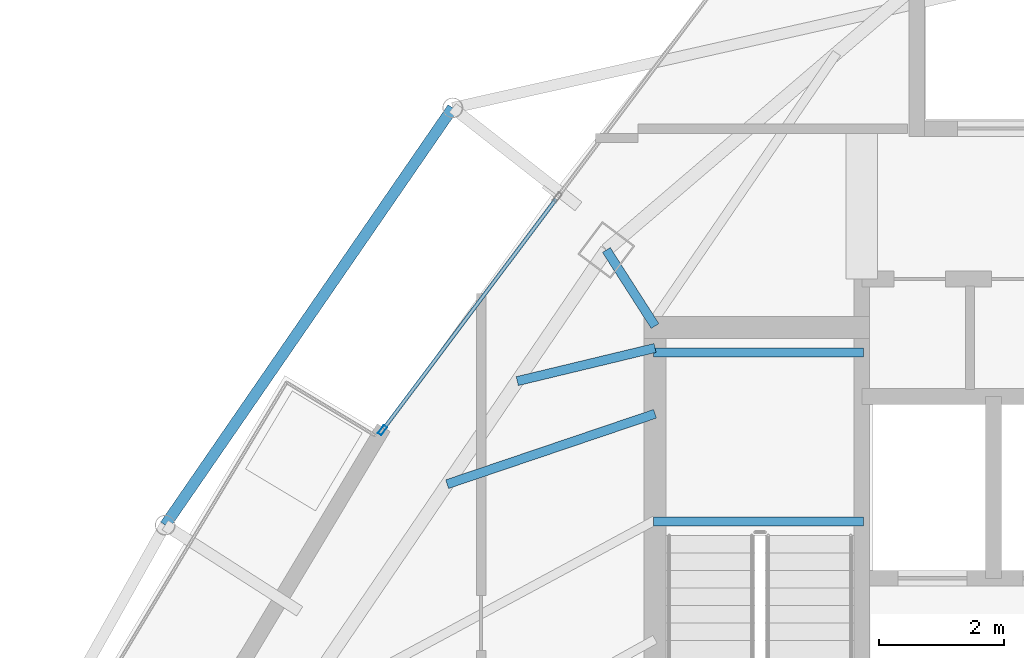
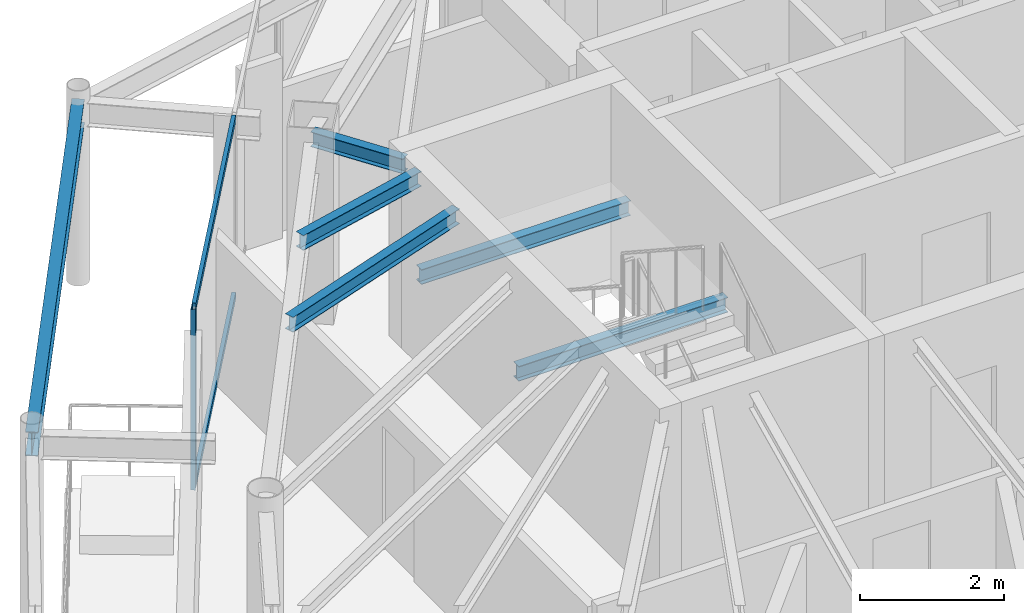
# One storey, part 12 of 30: 6 beams, 3 members, 1 element without a shape of its own.
"""IFC4 building model written with IfcOpenShell, lengths in metres."""

import ifcopenshell
import ifcopenshell.guid

model = None  # the IFC model being written
_history = None  # IfcOwnerHistory: only IFC2X3 demands one
_inside = {}  # id of a spatial element -> (the spatial element, [elements in it])
_under = {}  # id of a project, library or spatial element -> (it, [spatial elements below it])
_declared = {}  # id of a project -> (the project, [libraries it declares])
_typed = {}  # id of a type object -> (the type object, [elements of that type])
_made_of = {}  # id of a material, layer set ... -> (it, [elements and type objects made of it])


def new_model(schema):
    """Start an empty IFC model of exactly this schema.

    Asked for "IFC4X3", IfcOpenShell would pick the latest addendum, in which some entities
    have other attributes; the version numbers below select the first issue.
    IFC2X3 requires an IfcOwnerHistory on every rooted entity: one is made here for all.
    """
    global model, _history
    if schema == "IFC4X3":
        model = ifcopenshell.file(schema_version=(4, 3, 0, 0))
    else:
        model = ifcopenshell.file(schema=schema)
    _inside.clear()
    _under.clear()
    _declared.clear()
    _typed.clear()
    _made_of.clear()
    _history = None
    if model.schema == "IFC2X3":
        org = make("IfcOrganization", Name="unknown")
        user = make(
            "IfcPersonAndOrganization",
            ThePerson=make("IfcPerson", FamilyName="unknown"),
            TheOrganization=org,
        )
        app = make(
            "IfcApplication",
            ApplicationDeveloper=org,
            Version="unknown",
            ApplicationFullName="unknown",
            ApplicationIdentifier="unknown",
        )
        _history = make(
            "IfcOwnerHistory",
            OwningUser=user,
            OwningApplication=app,
            ChangeAction="ADDED",
            CreationDate=0,
        )
    return model


def make(cls, **values):
    """One entity of the class cls with the attributes given. An attribute that is None is left unset."""
    return model.create_entity(
        cls, **{name: value for name, value in values.items() if value is not None}
    )


def rooted(cls, **values):
    """An entity with a GlobalId (a new one), such as an element, a storey or a relation."""
    return make(cls, GlobalId=ifcopenshell.guid.new(), OwnerHistory=_history, **values)


def si_unit(unit_type, name, prefix=None):
    """IfcSIUnit, for example si_unit("LENGTHUNIT", "METRE", prefix="MILLI")."""
    return make("IfcSIUnit", UnitType=unit_type, Prefix=prefix, Name=name)


def assignment(units):
    """IfcUnitAssignment: the units of a project."""
    return None if units is None else make("IfcUnitAssignment", Units=units)


def point(xyz):
    """IfcCartesianPoint."""
    return None if xyz is None else make("IfcCartesianPoint", Coordinates=xyz)


def direction(xyz):
    """IfcDirection."""
    return None if xyz is None else make("IfcDirection", DirectionRatios=xyz)


def frame(location, z_axis=None, x_axis=None):
    """IfcAxis2Placement3D, a coordinate frame: its origin and axes. An axis left out is left unset."""
    return make(
        "IfcAxis2Placement3D",
        Location=point(location),
        Axis=direction(z_axis),
        RefDirection=direction(x_axis),
    )


def frame_2d(location, x_axis=None):
    """IfcAxis2Placement2D, a coordinate frame in the plane: its origin and x axis."""
    return make(
        "IfcAxis2Placement2D", Location=point(location), RefDirection=direction(x_axis)
    )


def origin():
    """The frame at (0, 0, 0) with its axes left unset."""
    return frame((0.0, 0.0, 0.0))


def origin_2d():
    """The frame at (0, 0) in the plane with its x axis left unset."""
    return frame_2d((0.0, 0.0))


def place(relative_to, where):
    """IfcLocalPlacement: puts the frame where relative to a parent placement (None: the world)."""
    return make(
        "IfcLocalPlacement", PlacementRelTo=relative_to, RelativePlacement=where
    )


def context(
    kind, dimensions, precision=None, world=None, true_north=None, identifier=None
):
    """IfcGeometricRepresentationContext, for example the 3D "Model" context."""
    return make(
        "IfcGeometricRepresentationContext",
        ContextIdentifier=identifier,
        ContextType=kind,
        CoordinateSpaceDimension=dimensions,
        Precision=precision,
        WorldCoordinateSystem=world,
        TrueNorth=true_north,
    )


def subcontext(parent, identifier, kind, view, scale=None):
    """IfcGeometricRepresentationSubContext, for example "Body" below "Model"."""
    return make(
        "IfcGeometricRepresentationSubContext",
        ContextIdentifier=identifier,
        ContextType=kind,
        ParentContext=parent,
        TargetScale=scale,
        TargetView=view,
    )


def project(units=None, contexts=None):
    """IfcProject with its units and contexts."""
    return rooted(
        "IfcProject",
        Name="project",
        RepresentationContexts=contexts,
        UnitsInContext=assignment(units),
    )


def spatial(cls, under=None, at=None, **own):
    """A site, building, storey or space (cls), placed at a placement, below another one or the project."""
    s = rooted(cls, ObjectPlacement=at, **own)
    if under is not None:
        _under.setdefault(under.id(), (under, []))[1].append(s)
    return s


def profile(cls, at=None, kind="AREA", **sizes):
    """A parametric profile (cls). Its sizes go by their IFC names, for example OverallWidth=200.0."""
    return make(cls, ProfileType=kind, Position=at, **sizes)


def hollow_rectangle(**sizes):
    """IfcRectangleHollowProfileDef."""
    return profile("IfcRectangleHollowProfileDef", **sizes)


def i_section(**sizes):
    """IfcIShapeProfileDef."""
    return profile("IfcIShapeProfileDef", **sizes)


def extrude(swept, where, along, depth):
    """IfcExtrudedAreaSolid: the profile swept, set in the frame where, extruded along a direction by depth."""
    return make(
        "IfcExtrudedAreaSolid",
        SweptArea=swept,
        Position=where,
        ExtrudedDirection=direction(along),
        Depth=depth,
    )


def shape(context_of_items, identifier, shape_type, items):
    """IfcShapeRepresentation: the items that make up one representation, for example the "Body"."""
    return make(
        "IfcShapeRepresentation",
        ContextOfItems=context_of_items,
        RepresentationIdentifier=identifier,
        RepresentationType=shape_type,
        Items=items,
    )


def material(Name=None, Category=None):
    """IfcMaterial."""
    return make("IfcMaterial", Name=Name, Category=Category)


def layer(
    of_material, thickness, ventilated=None, Name=None, Category=None, Priority=None
):
    """IfcMaterialLayer: one layer of a wall or slab, of a material (None: an air gap)."""
    return make(
        "IfcMaterialLayer",
        Material=of_material,
        LayerThickness=thickness,
        IsVentilated=ventilated,
        Name=Name,
        Category=Category,
        Priority=Priority,
    )


def layer_set(layers, Name=None):
    """IfcMaterialLayerSet."""
    return make("IfcMaterialLayerSet", MaterialLayers=layers, LayerSetName=Name)


def material_profile(
    of_material, cross_section, Name=None, Category=None, Priority=None
):
    """IfcMaterialProfile: a cross section and its material."""
    return make(
        "IfcMaterialProfile",
        Name=Name,
        Material=of_material,
        Profile=cross_section,
        Priority=Priority,
        Category=Category,
    )


def profile_set(profiles, Name=None, composite=None):
    """IfcMaterialProfileSet."""
    return make(
        "IfcMaterialProfileSet",
        Name=Name,
        MaterialProfiles=profiles,
        CompositeProfile=composite,
    )


def made_of(thing, what):
    """Note that an element or type object is made of a material, layer set ...; save() writes the relation."""
    if what is not None:
        _made_of.setdefault(what.id(), (what, []))[1].append(thing)
    return thing


def type_object(cls, material=None, **own):
    """A type object (cls), such as IfcWallType, which elements share."""
    return made_of(rooted(cls, **own), material)


def element(
    cls,
    number,
    at=None,
    inside=None,
    cuts=None,
    type_object=None,
    material=None,
    context=None,
    identifier="Body",
    shape_type=None,
    held_by="IfcProductDefinitionShape",
    body=None,
    shapes=None,
    **own,
):
    """One element of the class cls, such as IfcWall. Its Tag is "e" and its number.

    at: its placement. inside: the storey or other place that contains it. cuts: it is an
    opening in that element (IfcRelVoidsElement). A single representation is given by context,
    identifier, shape_type and body (its items); several are given by shapes. held_by: the class
    of the entity that holds the representations. save() writes the other relations.
    """
    e = rooted(cls, Tag="e%d" % number, ObjectPlacement=at, **own)
    if body is not None:
        shapes = [shape(context, identifier, shape_type, body)]
    if shapes is not None:
        e.Representation = make(held_by, Representations=shapes)
    if inside is not None:
        _inside.setdefault(inside.id(), (inside, []))[1].append(e)
    if cuts is not None:
        rooted(
            "IfcRelVoidsElement", RelatingBuildingElement=cuts, RelatedOpeningElement=e
        )
    if type_object is not None:
        _typed.setdefault(type_object.id(), (type_object, []))[1].append(e)
    return made_of(e, material)


def aggregate(whole, parts):
    """IfcRelAggregates: a whole, such as a stair, and the parts it consists of."""
    return rooted("IfcRelAggregates", RelatingObject=whole, RelatedObjects=parts)


def save(model, path):
    """Write the relations noted so far, then the file.

    IfcRelAggregates (storeys below a building ...), IfcRelContainedInSpatialStructure (elements
    in a storey), IfcRelDefinesByType, IfcRelAssociatesMaterial and IfcRelDeclares: one each for
    every whole, place, type object, material and project.
    """
    for whole, parts in _under.values():
        aggregate(whole, parts)
    for where, things in _inside.values():
        rooted(
            "IfcRelContainedInSpatialStructure",
            RelatedElements=things,
            RelatingStructure=where,
        )
    for kind, things in _typed.values():
        rooted("IfcRelDefinesByType", RelatedObjects=things, RelatingType=kind)
    for what, things in _made_of.values():
        rooted("IfcRelAssociatesMaterial", RelatedObjects=things, RelatingMaterial=what)
    for by, libraries in _declared.values():
        rooted("IfcRelDeclares", RelatingContext=by, RelatedDefinitions=libraries)
    model.write(path)


model = new_model("IFC4")

# Units and contexts
model_context = context("Model", 3, precision=1e-05, world=origin(), true_north=direction((0.0, 1.0)))
body_context = subcontext(model_context, "Body", "Model", "MODEL_VIEW")
ifc_project = project(units=[si_unit("LENGTHUNIT", "METRE"), si_unit("AREAUNIT", "SQUARE_METRE"), si_unit("VOLUMEUNIT", "CUBIC_METRE"), si_unit("PLANEANGLEUNIT", "RADIAN"), si_unit("MASSUNIT", "GRAM", prefix="KILO")], contexts=[model_context])

# Site, building, storey
site_placement = place(None, origin())
site = spatial("IfcSite", under=ifc_project, at=site_placement, CompositionType="ELEMENT")
building_placement = place(site_placement, origin())
building = spatial("IfcBuilding", under=site, at=building_placement, Name="Orvanel Arch Residences", CompositionType="ELEMENT")
storey_placement = place(building_placement, frame((0.0, 0.0, 270.050048828125)))
storey = spatial("IfcBuildingStorey", under=building, at=storey_placement, Name="L77", CompositionType="ELEMENT", Elevation=270.050048828125)

# Beams
ifc_material_1 = material(Name="Structural steel AS/NZS 3679.1 Grade 300 (300 MPa)", Category="steel")
ifc_material_profile_1 = material_profile(ifc_material_1, i_section(OverallWidth=0.14599609375, OverallDepth=0.251953125, WebThickness=0.006103515625, FlangeThickness=0.008544921875, at=origin_2d()), Name="250UB31.4")
ifc_profile_set_1 = profile_set([ifc_material_profile_1], Name="Structural steel AS/NZS 3679.1 Grade 300 (300 MPa)")
beam_type_1 = type_object("IfcBeamType", Name="BJ-250UB", PredefinedType="JOIST", material=ifc_profile_set_1)
for number, where, z_axis, x_axis, name in (
    (1, (26.39990234375, 30.780029296875, 1.323974609375), (1.0, 0.0, 0.0), (0.0, 1.0, 0.0), "L77 ST-1 Half-Landing Support Beam 1.1"),
    (2, (26.39990234375, 33.47998046875, 1.323974609375), (1.0, 0.0, 0.0), (0.0, 1.0, 0.0), "L77 ST-1 Half-Landing Support Beam 1.2"),
):
    element("IfcBeam", number, at=place(storey_placement, frame(where, z_axis=z_axis, x_axis=x_axis)), inside=storey, type_object=beam_type_1, Name=name, PredefinedType="JOIST", context=body_context, shape_type="SweptSolid", body=[
        extrude(i_section(OverallWidth=0.14599609375, OverallDepth=0.251953125, WebThickness=0.006103515625, FlangeThickness=0.008544921875, at=origin_2d()), origin(), (0.0, 0.0, 1.0), 3.35009765625),
    ])
beam_1_placement = place(storey_placement, frame((26.425048828125, 33.89990234375, 2.933837890625), z_axis=(-0.539395075146, 0.842052820735, 0.0), x_axis=(-0.842052820735, -0.539395075146, 0.0)))
element("IfcBeam", 3, at=beam_1_placement, inside=storey, type_object=beam_type_1, Name="L77 NNW Wing Floor Joist", PredefinedType="JOIST", context=body_context, shape_type="SweptSolid", body=[
    extrude(i_section(OverallWidth=0.14599609375, OverallDepth=0.251953125, WebThickness=0.006103515625, FlangeThickness=0.008544921875, at=origin_2d()), origin(), (0.0, 0.0, 1.0), 1.440673828125),
])
beam_2_placement = place(storey_placement, frame((26.425048828125, 32.5, 2.933837890625), z_axis=(-0.947187956478, -0.320678928373, 0.0), x_axis=(0.320678928373, -0.947187956478, 0.0)))
element("IfcBeam", 4, at=beam_2_placement, inside=storey, type_object=beam_type_1, Name="L77 WNW Wing Floor Joist", PredefinedType="JOIST", context=body_context, shape_type="SweptSolid", body=[
    extrude(i_section(OverallWidth=0.14599609375, OverallDepth=0.251953125, WebThickness=0.006103515625, FlangeThickness=0.008544921875, at=origin_2d()), origin(), (0.0, 0.0, 1.0), 3.502197265625),
])
beam_3_placement = place(storey_placement, frame((26.425048828125, 33.550048828125, 2.933837890625), z_axis=(-0.972256833016, -0.23391590509, 0.0), x_axis=(0.23391590509, -0.972256833016, 0.0)))
element("IfcBeam", 5, at=beam_3_placement, inside=storey, type_object=beam_type_1, Name="L77 JADD3 Wing Floor Joist", PredefinedType="JOIST", context=body_context, shape_type="SweptSolid", body=[
    extrude(i_section(OverallWidth=0.14599609375, OverallDepth=0.251953125, WebThickness=0.006103515625, FlangeThickness=0.008544921875, at=origin_2d()), origin(), (0.0, 0.0, 1.0), 2.26171875),
])

# Curtain wall, member
ifc_material_2 = material(Name="Bronze-anodised aluminium AA6063-T6", Category="aluminium")
ifc_layer = layer(ifc_material_2, 0.175048828125)
ifc_layer_set = layer_set([ifc_layer], Name="Bronze-anodised aluminium AA6063-T6")
curtain_wall_type = type_object("IfcCurtainWallType", Name="CW4-HI-SYS", PredefinedType="NOTDEFINED", material=ifc_layer_set)
curtain_wall_placement = place(storey_placement, origin())
curtain_wall = element("IfcCurtainWall", 6, at=curtain_wall_placement, inside=storey, type_object=curtain_wall_type, Name="L77 CW4-HI-SYS Unitised Curtain Wall", PredefinedType="NOTDEFINED")
ifc_material_profile_2 = material_profile(ifc_material_2, hollow_rectangle(XDim=0.06494140625, YDim=0.159912109375, WallThickness=0.00390625, at=origin_2d()), Name="ALU160x65x4")
ifc_profile_set_2 = profile_set([ifc_material_profile_2], Name="Bronze-anodised aluminium AA6063-T6")
member_type_1 = type_object("IfcMemberType", Name="MUL-160x65", PredefinedType="MULLION", material=ifc_profile_set_2)
member_1_placement = place(storey_placement, frame((22.075439453125, 32.237060546875, 0.0), z_axis=(0.0, 0.0, 1.0), x_axis=(0.799615096912, -0.60051286147, 0.0)))
member_1 = element("IfcMember", 7, at=member_1_placement, type_object=member_type_1, Name="CW-S4 mullion 3", PredefinedType="MULLION", context=body_context, shape_type="SweptSolid", body=[
    extrude(hollow_rectangle(XDim=0.06494140625, YDim=0.159912109375, WallThickness=0.00390625, at=origin_2d()), origin(), (0.0, 0.0, 1.0), 3.06005859375),
])

# Beam
ifc_material_profile_3 = material_profile(ifc_material_1, i_section(OverallWidth=0.177978515625, OverallDepth=0.406005859375, WebThickness=0.0078125, FlangeThickness=0.0126953125, at=origin_2d()), Name="410UB59.7")
ifc_profile_set_3 = profile_set([ifc_material_profile_3], Name="Structural steel AS/NZS 3679.1 Grade 300 (300 MPa)")
beam_type_2 = type_object("IfcBeamType", Name="OB-410UB-EXT", PredefinedType="SPANDREL", material=ifc_profile_set_3)
beam_4_placement = place(storey_placement, frame((23.196044921875, 37.381103515625, 2.85693359375), z_axis=(-0.567420351038, -0.823428287848, 0.0), x_axis=(0.823428287848, -0.567420351038, 0.0)))
element("IfcBeam", 8, at=beam_4_placement, inside=storey, type_object=beam_type_2, Name="L77 Outer Perimeter Floor Ring Beam 01", PredefinedType="SPANDREL", context=body_context, shape_type="SweptSolid", body=[
    extrude(i_section(OverallWidth=0.177978515625, OverallDepth=0.406005859375, WebThickness=0.0078125, FlangeThickness=0.0126953125, at=origin_2d()), origin(), (0.0, 0.0, 1.0), 8.0859375),
])

# Member
ifc_material_profile_4 = material_profile(ifc_material_2, hollow_rectangle(XDim=0.06005859375, YDim=0.1201171875, WallThickness=0.00341796875, at=origin_2d()), Name="ALU120x60x3.5")
ifc_profile_set_4 = profile_set([ifc_material_profile_4], Name="Bronze-anodised aluminium AA6063-T6")
member_type_2 = type_object("IfcMemberType", Name="TRN-120x60", PredefinedType="USERDEFINED", material=ifc_profile_set_4)
member_2_placement = place(storey_placement, frame((24.845947265625, 35.926025390625, 0.030029296875), z_axis=(-0.600511495191, -0.799616122989, 0.0), x_axis=(0.799616122989, -0.600511495191, 0.0)))
member_2 = element("IfcMember", 9, at=member_2_placement, type_object=member_type_2, Name="CW-S4 transom 2.1", ObjectType="TRANSOM", PredefinedType="USERDEFINED", context=body_context, shape_type="SweptSolid", body=[
    extrude(hollow_rectangle(XDim=0.06005859375, YDim=0.1201171875, WallThickness=0.00341796875, at=origin_2d()), origin(), (0.0, 0.0, 1.0), 4.5810546875),
])

member_3_placement = place(storey_placement, frame((24.845947265625, 35.926025390625, 3.030029296875), z_axis=(-0.600511495191, -0.799616122989, 0.0), x_axis=(0.799616122989, -0.600511495191, 0.0)))
member_3 = element("IfcMember", 10, at=member_3_placement, type_object=member_type_2, Name="CW-S4 transom 2.2", ObjectType="TRANSOM", PredefinedType="USERDEFINED", context=body_context, shape_type="SweptSolid", body=[
    extrude(hollow_rectangle(XDim=0.06005859375, YDim=0.1201171875, WallThickness=0.00341796875, at=origin_2d()), origin(), (0.0, 0.0, 1.0), 4.5810546875),
])

aggregate(curtain_wall, [member_1, member_2, member_3])

save(model, "model.ifc")
